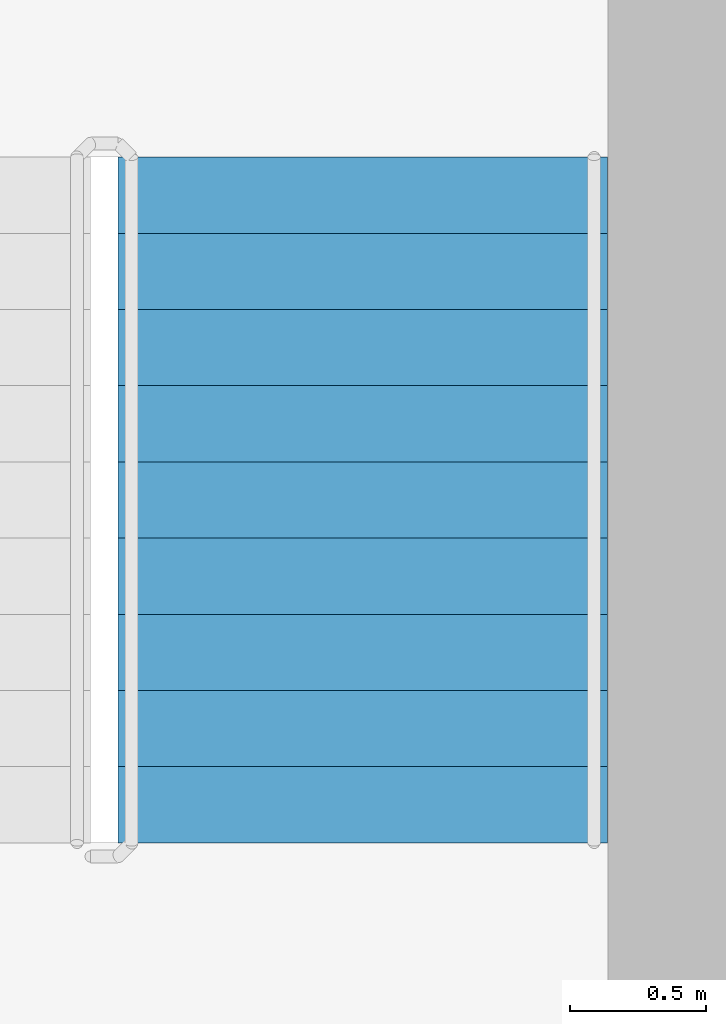
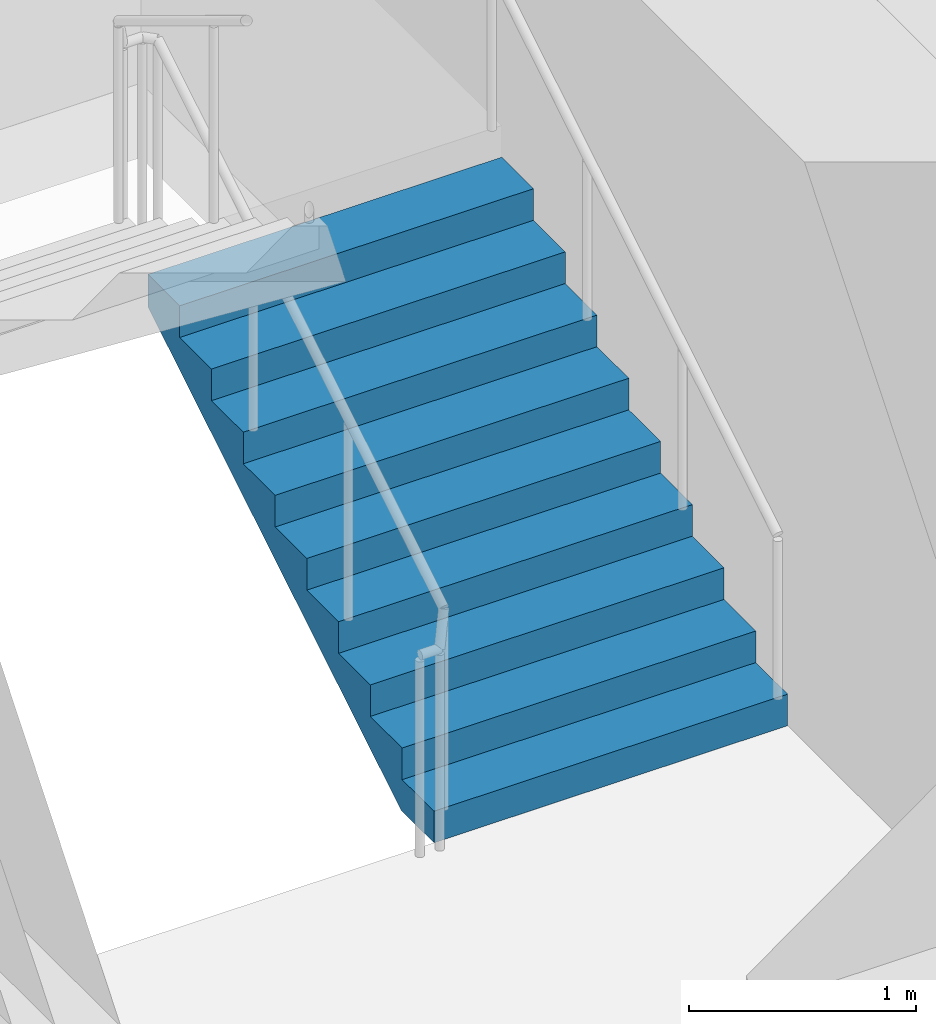
# One storey, part 13 of 16: 1 stair flight, 1 element without a shape of its own.
"""IFC4 building model written with IfcOpenShell, lengths in metres."""

from ifc_helpers import new_model, si_unit, direction, frame, origin, place, context, subcontext, project, spatial, triangles, source, transform, mapped, material, type_object, element, aggregate, save


model = new_model("IFC4")

# Units and contexts
model_context = context("Model", 3, precision=1e-05, world=origin(), true_north=direction((0.0, 1.0)))
body_context = subcontext(model_context, "Body", "Model", "MODEL_VIEW")
ifc_project = project(units=[si_unit("LENGTHUNIT", "METRE"), si_unit("AREAUNIT", "SQUARE_METRE"), si_unit("VOLUMEUNIT", "CUBIC_METRE"), si_unit("PLANEANGLEUNIT", "RADIAN"), si_unit("MASSUNIT", "GRAM", prefix="KILO")], contexts=[model_context])

# Site, building, storey
site_placement = place(None, origin())
site = spatial("IfcSite", under=ifc_project, at=site_placement, CompositionType="ELEMENT")
building_placement = place(site_placement, origin())
building = spatial("IfcBuilding", under=site, at=building_placement, Name="Kilnfold Tower and Market Hall", CompositionType="ELEMENT")
storey_placement = place(building_placement, frame((0.0, 0.0, 168.5)))
storey = spatial("IfcBuildingStorey", under=building, at=storey_placement, Name="L39", CompositionType="ELEMENT", Elevation=168.5)

# Stair, stair flight
ifc_material_1 = material(Name="Concrete C40/50", Category="concrete")
stair_type = type_object("IfcStairType", Name="CORE STAIR 1800", PredefinedType="HALF_TURN_STAIR", material=ifc_material_1)
stair_placement = place(storey_placement, origin())
stair = element("IfcStair", 1, at=stair_placement, inside=storey, type_object=stair_type, Name="L39 ST2", PredefinedType="HALF_TURN_STAIR")
ifc_material_2 = material(Name="Concrete C40/50", Category="concrete")
stair_flight_type = type_object("IfcStairFlightType", Name="CORE STAIR FLIGHT 1800", PredefinedType="STRAIGHT", material=ifc_material_2)
shared_shape = source(origin(), body_context, "Body", "Tessellation", [
    triangles([(0.0, 0.89990234375, 0.0), (0.0, 0.78759765625, 0.0), (0.0, 0.675048828125, 0.0), (0.0, 0.5625, 0.0), (0.0, 0.449951171875, 0.0), (0.0, 0.33740234375, 0.0), (0.0, 0.22509765625, 0.0), (0.0, 0.112548828125, 0.0), (0.0, 0.0, 0.0), (0.0, -0.112548828125, 0.0), (0.0, -0.22509765625, 0.0), (0.0, -0.33740234375, 0.0), (0.0, -0.449951171875, 0.0), (0.0, -0.5625, 0.0), (0.0, -0.675048828125, 0.0), (0.0, -0.78759765625, 0.0), (0.0, -0.89990234375, 0.0), (0.0, 0.89990234375, 0.169921875), (0.0, 0.78759765625, 0.169921875), (0.0, 0.675048828125, 0.169921875), (0.0, 0.5625, 0.169921875), (0.0, 0.449951171875, 0.169921875), (0.0, 0.33740234375, 0.169921875), (0.0, 0.22509765625, 0.169921875), (0.0, 0.112548828125, 0.169921875), (0.0, 0.0, 0.169921875), (0.0, -0.112548828125, 0.169921875), (0.0, -0.22509765625, 0.169921875), (0.0, -0.33740234375, 0.169921875), (0.0, -0.449951171875, 0.169921875), (0.0, -0.5625, 0.169921875), (0.0, -0.675048828125, 0.169921875), (0.0, -0.78759765625, 0.169921875), (0.0, -0.89990234375, 0.169921875), (0.280029296875, 0.89990234375, 0.169921875), (0.280029296875, 0.78759765625, 0.169921875), (0.280029296875, 0.675048828125, 0.169921875), (0.280029296875, 0.5625, 0.169921875), (0.280029296875, 0.449951171875, 0.169921875), (0.280029296875, 0.33740234375, 0.169921875), (0.280029296875, 0.22509765625, 0.169921875), (0.280029296875, 0.112548828125, 0.169921875), (0.280029296875, 0.0, 0.169921875), (0.280029296875, -0.112548828125, 0.169921875), (0.280029296875, -0.22509765625, 0.169921875), (0.280029296875, -0.33740234375, 0.169921875), (0.280029296875, -0.449951171875, 0.169921875), (0.280029296875, -0.5625, 0.169921875), (0.280029296875, -0.675048828125, 0.169921875), (0.280029296875, -0.78759765625, 0.169921875), (0.280029296875, -0.89990234375, 0.169921875), (0.280029296875, 0.89990234375, 0.340087890625), (0.280029296875, 0.78759765625, 0.340087890625), (0.280029296875, 0.675048828125, 0.340087890625), (0.280029296875, 0.5625, 0.340087890625), (0.280029296875, 0.449951171875, 0.340087890625), (0.280029296875, 0.33740234375, 0.340087890625), (0.280029296875, 0.22509765625, 0.340087890625), (0.280029296875, 0.112548828125, 0.340087890625), (0.280029296875, 0.0, 0.340087890625), (0.280029296875, -0.112548828125, 0.340087890625), (0.280029296875, -0.22509765625, 0.340087890625), (0.280029296875, -0.33740234375, 0.340087890625), (0.280029296875, -0.449951171875, 0.340087890625), (0.280029296875, -0.5625, 0.340087890625), (0.280029296875, -0.675048828125, 0.340087890625), (0.280029296875, -0.78759765625, 0.340087890625), (0.280029296875, -0.89990234375, 0.340087890625), (0.56005859375, 0.89990234375, 0.340087890625), (0.56005859375, 0.78759765625, 0.340087890625), (0.56005859375, 0.675048828125, 0.340087890625), (0.56005859375, 0.5625, 0.340087890625), (0.56005859375, 0.449951171875, 0.340087890625), (0.56005859375, 0.33740234375, 0.340087890625), (0.56005859375, 0.22509765625, 0.340087890625), (0.56005859375, 0.112548828125, 0.340087890625), (0.56005859375, 0.0, 0.340087890625), (0.56005859375, -0.112548828125, 0.340087890625), (0.56005859375, -0.22509765625, 0.340087890625), (0.56005859375, -0.33740234375, 0.340087890625), (0.56005859375, -0.449951171875, 0.340087890625), (0.56005859375, -0.5625, 0.340087890625), (0.56005859375, -0.675048828125, 0.340087890625), (0.56005859375, -0.78759765625, 0.340087890625), (0.56005859375, -0.89990234375, 0.340087890625), (0.56005859375, 0.89990234375, 0.510009765625), (0.56005859375, 0.78759765625, 0.510009765625), (0.56005859375, 0.675048828125, 0.510009765625), (0.56005859375, 0.5625, 0.510009765625), (0.56005859375, 0.449951171875, 0.510009765625), (0.56005859375, 0.33740234375, 0.510009765625), (0.56005859375, 0.22509765625, 0.510009765625), (0.56005859375, 0.112548828125, 0.510009765625), (0.56005859375, 0.0, 0.510009765625), (0.56005859375, -0.112548828125, 0.510009765625), (0.56005859375, -0.22509765625, 0.510009765625), (0.56005859375, -0.33740234375, 0.510009765625), (0.56005859375, -0.449951171875, 0.510009765625), (0.56005859375, -0.5625, 0.510009765625), (0.56005859375, -0.675048828125, 0.510009765625), (0.56005859375, -0.78759765625, 0.510009765625), (0.56005859375, -0.89990234375, 0.510009765625), (0.840087890625, 0.89990234375, 0.510009765625), (0.840087890625, 0.78759765625, 0.510009765625), (0.840087890625, 0.675048828125, 0.510009765625), (0.840087890625, 0.5625, 0.510009765625), (0.840087890625, 0.449951171875, 0.510009765625), (0.840087890625, 0.33740234375, 0.510009765625), (0.840087890625, 0.22509765625, 0.510009765625), (0.840087890625, 0.112548828125, 0.510009765625), (0.840087890625, 0.0, 0.510009765625), (0.840087890625, -0.112548828125, 0.510009765625), (0.840087890625, -0.22509765625, 0.510009765625), (0.840087890625, -0.33740234375, 0.510009765625), (0.840087890625, -0.449951171875, 0.510009765625), (0.840087890625, -0.5625, 0.510009765625), (0.840087890625, -0.675048828125, 0.510009765625), (0.840087890625, -0.78759765625, 0.510009765625), (0.840087890625, -0.89990234375, 0.510009765625), (0.840087890625, 0.89990234375, 0.679931640625), (0.840087890625, 0.78759765625, 0.679931640625), (0.840087890625, 0.675048828125, 0.679931640625), (0.840087890625, 0.5625, 0.679931640625), (0.840087890625, 0.449951171875, 0.679931640625), (0.840087890625, 0.33740234375, 0.679931640625), (0.840087890625, 0.22509765625, 0.679931640625), (0.840087890625, 0.112548828125, 0.679931640625), (0.840087890625, 0.0, 0.679931640625), (0.840087890625, -0.112548828125, 0.679931640625), (0.840087890625, -0.22509765625, 0.679931640625), (0.840087890625, -0.33740234375, 0.679931640625), (0.840087890625, -0.449951171875, 0.679931640625), (0.840087890625, -0.5625, 0.679931640625), (0.840087890625, -0.675048828125, 0.679931640625), (0.840087890625, -0.78759765625, 0.679931640625), (0.840087890625, -0.89990234375, 0.679931640625), (1.1201171875, 0.89990234375, 0.679931640625), (1.1201171875, 0.78759765625, 0.679931640625), (1.1201171875, 0.675048828125, 0.679931640625), (1.1201171875, 0.5625, 0.679931640625), (1.1201171875, 0.449951171875, 0.679931640625), (1.1201171875, 0.33740234375, 0.679931640625), (1.1201171875, 0.22509765625, 0.679931640625), (1.1201171875, 0.112548828125, 0.679931640625), (1.1201171875, 0.0, 0.679931640625), (1.1201171875, -0.112548828125, 0.679931640625), (1.1201171875, -0.22509765625, 0.679931640625), (1.1201171875, -0.33740234375, 0.679931640625), (1.1201171875, -0.449951171875, 0.679931640625), (1.1201171875, -0.5625, 0.679931640625), (1.1201171875, -0.675048828125, 0.679931640625), (1.1201171875, -0.78759765625, 0.679931640625), (1.1201171875, -0.89990234375, 0.679931640625), (1.1201171875, 0.89990234375, 0.85009765625), (1.1201171875, 0.78759765625, 0.85009765625), (1.1201171875, 0.675048828125, 0.85009765625), (1.1201171875, 0.5625, 0.85009765625), (1.1201171875, 0.449951171875, 0.85009765625), (1.1201171875, 0.33740234375, 0.85009765625), (1.1201171875, 0.22509765625, 0.85009765625), (1.1201171875, 0.112548828125, 0.85009765625), (1.1201171875, 0.0, 0.85009765625), (1.1201171875, -0.112548828125, 0.85009765625), (1.1201171875, -0.22509765625, 0.85009765625), (1.1201171875, -0.33740234375, 0.85009765625), (1.1201171875, -0.449951171875, 0.85009765625), (1.1201171875, -0.5625, 0.85009765625), (1.1201171875, -0.675048828125, 0.85009765625), (1.1201171875, -0.78759765625, 0.85009765625), (1.1201171875, -0.89990234375, 0.85009765625), (1.39990234375, 0.89990234375, 0.85009765625), (1.39990234375, 0.78759765625, 0.85009765625), (1.39990234375, 0.675048828125, 0.85009765625), (1.39990234375, 0.5625, 0.85009765625), (1.39990234375, 0.449951171875, 0.85009765625), (1.39990234375, 0.33740234375, 0.85009765625), (1.39990234375, 0.22509765625, 0.85009765625), (1.39990234375, 0.112548828125, 0.85009765625), (1.39990234375, 0.0, 0.85009765625), (1.39990234375, -0.112548828125, 0.85009765625), (1.39990234375, -0.22509765625, 0.85009765625), (1.39990234375, -0.33740234375, 0.85009765625), (1.39990234375, -0.449951171875, 0.85009765625), (1.39990234375, -0.5625, 0.85009765625), (1.39990234375, -0.675048828125, 0.85009765625), (1.39990234375, -0.78759765625, 0.85009765625), (1.39990234375, -0.89990234375, 0.85009765625), (1.39990234375, 0.89990234375, 1.02001953125), (1.39990234375, 0.78759765625, 1.02001953125), (1.39990234375, 0.675048828125, 1.02001953125), (1.39990234375, 0.5625, 1.02001953125), (1.39990234375, 0.449951171875, 1.02001953125), (1.39990234375, 0.33740234375, 1.02001953125), (1.39990234375, 0.22509765625, 1.02001953125), (1.39990234375, 0.112548828125, 1.02001953125), (1.39990234375, 0.0, 1.02001953125), (1.39990234375, -0.112548828125, 1.02001953125), (1.39990234375, -0.22509765625, 1.02001953125), (1.39990234375, -0.33740234375, 1.02001953125), (1.39990234375, -0.449951171875, 1.02001953125), (1.39990234375, -0.5625, 1.02001953125), (1.39990234375, -0.675048828125, 1.02001953125), (1.39990234375, -0.78759765625, 1.02001953125), (1.39990234375, -0.89990234375, 1.02001953125), (1.679931640625, 0.89990234375, 1.02001953125), (1.679931640625, 0.78759765625, 1.02001953125), (1.679931640625, 0.675048828125, 1.02001953125), (1.679931640625, 0.5625, 1.02001953125), (1.679931640625, 0.449951171875, 1.02001953125), (1.679931640625, 0.33740234375, 1.02001953125), (1.679931640625, 0.22509765625, 1.02001953125), (1.679931640625, 0.112548828125, 1.02001953125), (1.679931640625, 0.0, 1.02001953125), (1.679931640625, -0.112548828125, 1.02001953125), (1.679931640625, -0.22509765625, 1.02001953125), (1.679931640625, -0.33740234375, 1.02001953125), (1.679931640625, -0.449951171875, 1.02001953125), (1.679931640625, -0.5625, 1.02001953125), (1.679931640625, -0.675048828125, 1.02001953125), (1.679931640625, -0.78759765625, 1.02001953125), (1.679931640625, -0.89990234375, 1.02001953125), (1.679931640625, 0.89990234375, 1.18994140625), (1.679931640625, 0.78759765625, 1.18994140625), (1.679931640625, 0.675048828125, 1.18994140625), (1.679931640625, 0.5625, 1.18994140625), (1.679931640625, 0.449951171875, 1.18994140625), (1.679931640625, 0.33740234375, 1.18994140625), (1.679931640625, 0.22509765625, 1.18994140625), (1.679931640625, 0.112548828125, 1.18994140625), (1.679931640625, 0.0, 1.18994140625), (1.679931640625, -0.112548828125, 1.18994140625), (1.679931640625, -0.22509765625, 1.18994140625), (1.679931640625, -0.33740234375, 1.18994140625), (1.679931640625, -0.449951171875, 1.18994140625), (1.679931640625, -0.5625, 1.18994140625), (1.679931640625, -0.675048828125, 1.18994140625), (1.679931640625, -0.78759765625, 1.18994140625), (1.679931640625, -0.89990234375, 1.18994140625), (1.9599609375, 0.89990234375, 1.18994140625), (1.9599609375, 0.78759765625, 1.18994140625), (1.9599609375, 0.675048828125, 1.18994140625), (1.9599609375, 0.5625, 1.18994140625), (1.9599609375, 0.449951171875, 1.18994140625), (1.9599609375, 0.33740234375, 1.18994140625), (1.9599609375, 0.22509765625, 1.18994140625), (1.9599609375, 0.112548828125, 1.18994140625), (1.9599609375, 0.0, 1.18994140625), (1.9599609375, -0.112548828125, 1.18994140625), (1.9599609375, -0.22509765625, 1.18994140625), (1.9599609375, -0.33740234375, 1.18994140625), (1.9599609375, -0.449951171875, 1.18994140625), (1.9599609375, -0.5625, 1.18994140625), (1.9599609375, -0.675048828125, 1.18994140625), (1.9599609375, -0.78759765625, 1.18994140625), (1.9599609375, -0.89990234375, 1.18994140625), (1.9599609375, 0.89990234375, 1.360107421875), (1.9599609375, 0.78759765625, 1.360107421875), (1.9599609375, 0.675048828125, 1.360107421875), (1.9599609375, 0.5625, 1.360107421875), (1.9599609375, 0.449951171875, 1.360107421875), (1.9599609375, 0.33740234375, 1.360107421875), (1.9599609375, 0.22509765625, 1.360107421875), (1.9599609375, 0.112548828125, 1.360107421875), (1.9599609375, 0.0, 1.360107421875), (1.9599609375, -0.112548828125, 1.360107421875), (1.9599609375, -0.22509765625, 1.360107421875), (1.9599609375, -0.33740234375, 1.360107421875), (1.9599609375, -0.449951171875, 1.360107421875), (1.9599609375, -0.5625, 1.360107421875), (1.9599609375, -0.675048828125, 1.360107421875), (1.9599609375, -0.78759765625, 1.360107421875), (1.9599609375, -0.89990234375, 1.360107421875), (2.239990234375, 0.89990234375, 1.360107421875), (2.239990234375, 0.78759765625, 1.360107421875), (2.239990234375, 0.675048828125, 1.360107421875), (2.239990234375, 0.5625, 1.360107421875), (2.239990234375, 0.449951171875, 1.360107421875), (2.239990234375, 0.33740234375, 1.360107421875), (2.239990234375, 0.22509765625, 1.360107421875), (2.239990234375, 0.112548828125, 1.360107421875), (2.239990234375, 0.0, 1.360107421875), (2.239990234375, -0.112548828125, 1.360107421875), (2.239990234375, -0.22509765625, 1.360107421875), (2.239990234375, -0.33740234375, 1.360107421875), (2.239990234375, -0.449951171875, 1.360107421875), (2.239990234375, -0.5625, 1.360107421875), (2.239990234375, -0.675048828125, 1.360107421875), (2.239990234375, -0.78759765625, 1.360107421875), (2.239990234375, -0.89990234375, 1.360107421875), (2.239990234375, 0.89990234375, 1.530029296875), (2.239990234375, 0.78759765625, 1.530029296875), (2.239990234375, 0.675048828125, 1.530029296875), (2.239990234375, 0.5625, 1.530029296875), (2.239990234375, 0.449951171875, 1.530029296875), (2.239990234375, 0.33740234375, 1.530029296875), (2.239990234375, 0.22509765625, 1.530029296875), (2.239990234375, 0.112548828125, 1.530029296875), (2.239990234375, 0.0, 1.530029296875), (2.239990234375, -0.112548828125, 1.530029296875), (2.239990234375, -0.22509765625, 1.530029296875), (2.239990234375, -0.33740234375, 1.530029296875), (2.239990234375, -0.449951171875, 1.530029296875), (2.239990234375, -0.5625, 1.530029296875), (2.239990234375, -0.675048828125, 1.530029296875), (2.239990234375, -0.78759765625, 1.530029296875), (2.239990234375, -0.89990234375, 1.530029296875), (2.52001953125, 0.89990234375, 1.530029296875), (2.52001953125, 0.78759765625, 1.530029296875), (2.52001953125, 0.675048828125, 1.530029296875), (2.52001953125, 0.5625, 1.530029296875), (2.52001953125, 0.449951171875, 1.530029296875), (2.52001953125, 0.33740234375, 1.530029296875), (2.52001953125, 0.22509765625, 1.530029296875), (2.52001953125, 0.112548828125, 1.530029296875), (2.52001953125, 0.0, 1.530029296875), (2.52001953125, -0.112548828125, 1.530029296875), (2.52001953125, -0.22509765625, 1.530029296875), (2.52001953125, -0.33740234375, 1.530029296875), (2.52001953125, -0.449951171875, 1.530029296875), (2.52001953125, -0.5625, 1.530029296875), (2.52001953125, -0.675048828125, 1.530029296875), (2.52001953125, -0.78759765625, 1.530029296875), (2.52001953125, -0.89990234375, 1.530029296875), (2.52001953125, 0.89990234375, 1.354736328125), (2.52001953125, 0.78759765625, 1.354736328125), (2.52001953125, 0.675048828125, 1.354736328125), (2.52001953125, 0.5625, 1.354736328125), (2.52001953125, 0.449951171875, 1.354736328125), (2.52001953125, 0.33740234375, 1.354736328125), (2.52001953125, 0.22509765625, 1.354736328125), (2.52001953125, 0.112548828125, 1.354736328125), (2.52001953125, 0.0, 1.354736328125), (2.52001953125, -0.112548828125, 1.354736328125), (2.52001953125, -0.22509765625, 1.354736328125), (2.52001953125, -0.33740234375, 1.354736328125), (2.52001953125, -0.449951171875, 1.354736328125), (2.52001953125, -0.5625, 1.354736328125), (2.52001953125, -0.675048828125, 1.354736328125), (2.52001953125, -0.78759765625, 1.354736328125), (2.52001953125, -0.89990234375, 1.354736328125), (0.288818359375, 0.89990234375, 0.0), (0.288818359375, 0.78759765625, 0.0), (0.288818359375, 0.675048828125, 0.0), (0.288818359375, 0.5625, 0.0), (0.288818359375, 0.449951171875, 0.0), (0.288818359375, 0.33740234375, 0.0), (0.288818359375, 0.22509765625, 0.0), (0.288818359375, 0.112548828125, 0.0), (0.288818359375, 0.0, 0.0), (0.288818359375, -0.112548828125, 0.0), (0.288818359375, -0.22509765625, 0.0), (0.288818359375, -0.33740234375, 0.0), (0.288818359375, -0.449951171875, 0.0), (0.288818359375, -0.5625, 0.0), (0.288818359375, -0.675048828125, 0.0), (0.288818359375, -0.78759765625, 0.0), (0.288818359375, -0.89990234375, 0.0)], [[1, 324, 341], [17, 357, 340], [324, 290, 307], [340, 323, 306], [324, 273, 290], [340, 306, 289], [324, 256, 273], [340, 289, 272], [324, 239, 256], [340, 272, 255], [239, 205, 222], [255, 238, 221], [324, 205, 239], [340, 255, 221], [205, 171, 188], [221, 204, 187], [324, 171, 205], [340, 221, 187], [171, 137, 154], [187, 170, 153], [324, 137, 171], [340, 187, 153], [137, 103, 120], [153, 136, 119], [324, 103, 137], [340, 153, 119], [103, 69, 86], [119, 102, 85], [324, 69, 103], [340, 119, 85], [69, 35, 52], [85, 68, 51], [324, 35, 69], [340, 85, 51], [1, 35, 324], [17, 340, 51], [35, 1, 18], [51, 34, 17], [1, 19, 18], [1, 2, 19], [2, 20, 19], [2, 3, 20], [3, 21, 20], [3, 4, 21], [4, 22, 21], [4, 5, 22], [5, 23, 22], [5, 6, 23], [6, 24, 23], [6, 7, 24], [7, 25, 24], [7, 8, 25], [8, 26, 25], [8, 9, 26], [9, 27, 26], [9, 10, 27], [10, 28, 27], [10, 11, 28], [11, 29, 28], [11, 12, 29], [12, 30, 29], [12, 13, 30], [13, 31, 30], [13, 14, 31], [14, 32, 31], [14, 15, 32], [15, 33, 32], [15, 16, 33], [16, 34, 33], [16, 17, 34], [18, 36, 35], [18, 19, 36], [19, 37, 36], [19, 20, 37], [20, 38, 37], [20, 21, 38], [21, 39, 38], [21, 22, 39], [22, 40, 39], [22, 23, 40], [23, 41, 40], [23, 24, 41], [24, 42, 41], [24, 25, 42], [25, 43, 42], [25, 26, 43], [26, 44, 43], [26, 27, 44], [27, 45, 44], [27, 28, 45], [28, 46, 45], [28, 29, 46], [29, 47, 46], [29, 30, 47], [30, 48, 47], [30, 31, 48], [31, 49, 48], [31, 32, 49], [32, 50, 49], [32, 33, 50], [33, 51, 50], [33, 34, 51], [35, 53, 52], [35, 36, 53], [36, 54, 53], [36, 37, 54], [37, 55, 54], [37, 38, 55], [38, 56, 55], [38, 39, 56], [39, 57, 56], [39, 40, 57], [40, 58, 57], [40, 41, 58], [41, 59, 58], [41, 42, 59], [42, 60, 59], [42, 43, 60], [43, 61, 60], [43, 44, 61], [44, 62, 61], [44, 45, 62], [45, 63, 62], [45, 46, 63], [46, 64, 63], [46, 47, 64], [47, 65, 64], [47, 48, 65], [48, 66, 65], [48, 49, 66], [49, 67, 66], [49, 50, 67], [50, 68, 67], [50, 51, 68], [52, 70, 69], [52, 53, 70], [53, 71, 70], [53, 54, 71], [54, 72, 71], [54, 55, 72], [55, 73, 72], [55, 56, 73], [56, 74, 73], [56, 57, 74], [57, 75, 74], [57, 58, 75], [58, 76, 75], [58, 59, 76], [59, 77, 76], [59, 60, 77], [60, 78, 77], [60, 61, 78], [61, 79, 78], [61, 62, 79], [62, 80, 79], [62, 63, 80], [63, 81, 80], [63, 64, 81], [64, 82, 81], [64, 65, 82], [65, 83, 82], [65, 66, 83], [66, 84, 83], [66, 67, 84], [67, 85, 84], [67, 68, 85], [69, 87, 86], [69, 70, 87], [70, 88, 87], [70, 71, 88], [71, 89, 88], [71, 72, 89], [72, 90, 89], [72, 73, 90], [73, 91, 90], [73, 74, 91], [74, 92, 91], [74, 75, 92], [75, 93, 92], [75, 76, 93], [76, 94, 93], [76, 77, 94], [77, 95, 94], [77, 78, 95], [78, 96, 95], [78, 79, 96], [79, 97, 96], [79, 80, 97], [80, 98, 97], [80, 81, 98], [81, 99, 98], [81, 82, 99], [82, 100, 99], [82, 83, 100], [83, 101, 100], [83, 84, 101], [84, 102, 101], [84, 85, 102], [86, 104, 103], [86, 87, 104], [87, 105, 104], [87, 88, 105], [88, 106, 105], [88, 89, 106], [89, 107, 106], [89, 90, 107], [90, 108, 107], [90, 91, 108], [91, 109, 108], [91, 92, 109], [92, 110, 109], [92, 93, 110], [93, 111, 110], [93, 94, 111], [94, 112, 111], [94, 95, 112], [95, 113, 112], [95, 96, 113], [96, 114, 113], [96, 97, 114], [97, 115, 114], [97, 98, 115], [98, 116, 115], [98, 99, 116], [99, 117, 116], [99, 100, 117], [100, 118, 117], [100, 101, 118], [101, 119, 118], [101, 102, 119], [103, 121, 120], [103, 104, 121], [104, 122, 121], [104, 105, 122], [105, 123, 122], [105, 106, 123], [106, 124, 123], [106, 107, 124], [107, 125, 124], [107, 108, 125], [108, 126, 125], [108, 109, 126], [109, 127, 126], [109, 110, 127], [110, 128, 127], [110, 111, 128], [111, 129, 128], [111, 112, 129], [112, 130, 129], [112, 113, 130], [113, 131, 130], [113, 114, 131], [114, 132, 131], [114, 115, 132], [115, 133, 132], [115, 116, 133], [116, 134, 133], [116, 117, 134], [117, 135, 134], [117, 118, 135], [118, 136, 135], [118, 119, 136], [120, 138, 137], [120, 121, 138], [121, 139, 138], [121, 122, 139], [122, 140, 139], [122, 123, 140], [123, 141, 140], [123, 124, 141], [124, 142, 141], [124, 125, 142], [125, 143, 142], [125, 126, 143], [126, 144, 143], [126, 127, 144], [127, 145, 144], [127, 128, 145], [128, 146, 145], [128, 129, 146], [129, 147, 146], [129, 130, 147], [130, 148, 147], [130, 131, 148], [131, 149, 148], [131, 132, 149], [132, 150, 149], [132, 133, 150], [133, 151, 150], [133, 134, 151], [134, 152, 151], [134, 135, 152], [135, 153, 152], [135, 136, 153], [137, 155, 154], [137, 138, 155], [138, 156, 155], [138, 139, 156], [139, 157, 156], [139, 140, 157], [140, 158, 157], [140, 141, 158], [141, 159, 158], [141, 142, 159], [142, 160, 159], [142, 143, 160], [143, 161, 160], [143, 144, 161], [144, 162, 161], [144, 145, 162], [145, 163, 162], [145, 146, 163], [146, 164, 163], [146, 147, 164], [147, 165, 164], [147, 148, 165], [148, 166, 165], [148, 149, 166], [149, 167, 166], [149, 150, 167], [150, 168, 167], [150, 151, 168], [151, 169, 168], [151, 152, 169], [152, 170, 169], [152, 153, 170], [154, 172, 171], [154, 155, 172], [155, 173, 172], [155, 156, 173], [156, 174, 173], [156, 157, 174], [157, 175, 174], [157, 158, 175], [158, 176, 175], [158, 159, 176], [159, 177, 176], [159, 160, 177], [160, 178, 177], [160, 161, 178], [161, 179, 178], [161, 162, 179], [162, 180, 179], [162, 163, 180], [163, 181, 180], [163, 164, 181], [164, 182, 181], [164, 165, 182], [165, 183, 182], [165, 166, 183], [166, 184, 183], [166, 167, 184], [167, 185, 184], [167, 168, 185], [168, 186, 185], [168, 169, 186], [169, 187, 186], [169, 170, 187], [171, 189, 188], [171, 172, 189], [172, 190, 189], [172, 173, 190], [173, 191, 190], [173, 174, 191], [174, 192, 191], [174, 175, 192], [175, 193, 192], [175, 176, 193], [176, 194, 193], [176, 177, 194], [177, 195, 194], [177, 178, 195], [178, 196, 195], [178, 179, 196], [179, 197, 196], [179, 180, 197], [180, 198, 197], [180, 181, 198], [181, 199, 198], [181, 182, 199], [182, 200, 199], [182, 183, 200], [183, 201, 200], [183, 184, 201], [184, 202, 201], [184, 185, 202], [185, 203, 202], [185, 186, 203], [186, 204, 203], [186, 187, 204], [188, 206, 205], [188, 189, 206], [189, 207, 206], [189, 190, 207], [190, 208, 207], [190, 191, 208], [191, 209, 208], [191, 192, 209], [192, 210, 209], [192, 193, 210], [193, 211, 210], [193, 194, 211], [194, 212, 211], [194, 195, 212], [195, 213, 212], [195, 196, 213], [196, 214, 213], [196, 197, 214], [197, 215, 214], [197, 198, 215], [198, 216, 215], [198, 199, 216], [199, 217, 216], [199, 200, 217], [200, 218, 217], [200, 201, 218], [201, 219, 218], [201, 202, 219], [202, 220, 219], [202, 203, 220], [203, 221, 220], [203, 204, 221], [205, 223, 222], [205, 206, 223], [206, 224, 223], [206, 207, 224], [207, 225, 224], [207, 208, 225], [208, 226, 225], [208, 209, 226], [209, 227, 226], [209, 210, 227], [210, 228, 227], [210, 211, 228], [211, 229, 228], [211, 212, 229], [212, 230, 229], [212, 213, 230], [213, 231, 230], [213, 214, 231], [214, 232, 231], [214, 215, 232], [215, 233, 232], [215, 216, 233], [216, 234, 233], [216, 217, 234], [217, 235, 234], [217, 218, 235], [218, 236, 235], [218, 219, 236], [219, 237, 236], [219, 220, 237], [220, 238, 237], [220, 221, 238], [222, 240, 239], [222, 223, 240], [223, 241, 240], [223, 224, 241], [224, 242, 241], [224, 225, 242], [225, 243, 242], [225, 226, 243], [226, 244, 243], [226, 227, 244], [227, 245, 244], [227, 228, 245], [228, 246, 245], [228, 229, 246], [229, 247, 246], [229, 230, 247], [230, 248, 247], [230, 231, 248], [231, 249, 248], [231, 232, 249], [232, 250, 249], [232, 233, 250], [233, 251, 250], [233, 234, 251], [234, 252, 251], [234, 235, 252], [235, 253, 252], [235, 236, 253], [236, 254, 253], [236, 237, 254], [237, 255, 254], [237, 238, 255], [239, 257, 256], [239, 240, 257], [240, 258, 257], [240, 241, 258], [241, 259, 258], [241, 242, 259], [242, 260, 259], [242, 243, 260], [243, 261, 260], [243, 244, 261], [244, 262, 261], [244, 245, 262], [245, 263, 262], [245, 246, 263], [246, 264, 263], [246, 247, 264], [247, 265, 264], [247, 248, 265], [248, 266, 265], [248, 249, 266], [249, 267, 266], [249, 250, 267], [250, 268, 267], [250, 251, 268], [251, 269, 268], [251, 252, 269], [252, 270, 269], [252, 253, 270], [253, 271, 270], [253, 254, 271], [254, 272, 271], [254, 255, 272], [256, 274, 273], [256, 257, 274], [257, 275, 274], [257, 258, 275], [258, 276, 275], [258, 259, 276], [259, 277, 276], [259, 260, 277], [260, 278, 277], [260, 261, 278], [261, 279, 278], [261, 262, 279], [262, 280, 279], [262, 263, 280], [263, 281, 280], [263, 264, 281], [264, 282, 281], [264, 265, 282], [265, 283, 282], [265, 266, 283], [266, 284, 283], [266, 267, 284], [267, 285, 284], [267, 268, 285], [268, 286, 285], [268, 269, 286], [269, 287, 286], [269, 270, 287], [270, 288, 287], [270, 271, 288], [271, 289, 288], [271, 272, 289], [273, 291, 290], [273, 274, 291], [274, 292, 291], [274, 275, 292], [275, 293, 292], [275, 276, 293], [276, 294, 293], [276, 277, 294], [277, 295, 294], [277, 278, 295], [278, 296, 295], [278, 279, 296], [279, 297, 296], [279, 280, 297], [280, 298, 297], [280, 281, 298], [281, 299, 298], [281, 282, 299], [282, 300, 299], [282, 283, 300], [283, 301, 300], [283, 284, 301], [284, 302, 301], [284, 285, 302], [285, 303, 302], [285, 286, 303], [286, 304, 303], [286, 287, 304], [287, 305, 304], [287, 288, 305], [288, 306, 305], [288, 289, 306], [290, 308, 307], [290, 291, 308], [291, 309, 308], [291, 292, 309], [292, 310, 309], [292, 293, 310], [293, 311, 310], [293, 294, 311], [294, 312, 311], [294, 295, 312], [295, 313, 312], [295, 296, 313], [296, 314, 313], [296, 297, 314], [297, 315, 314], [297, 298, 315], [298, 316, 315], [298, 299, 316], [299, 317, 316], [299, 300, 317], [300, 318, 317], [300, 301, 318], [301, 319, 318], [301, 302, 319], [302, 320, 319], [302, 303, 320], [303, 321, 320], [303, 304, 321], [304, 322, 321], [304, 305, 322], [305, 323, 322], [305, 306, 323], [307, 325, 324], [307, 308, 325], [308, 326, 325], [308, 309, 326], [309, 327, 326], [309, 310, 327], [310, 328, 327], [310, 311, 328], [311, 329, 328], [311, 312, 329], [312, 330, 329], [312, 313, 330], [313, 331, 330], [313, 314, 331], [314, 332, 331], [314, 315, 332], [315, 333, 332], [315, 316, 333], [316, 334, 333], [316, 317, 334], [317, 335, 334], [317, 318, 335], [318, 336, 335], [318, 319, 336], [319, 337, 336], [319, 320, 337], [320, 338, 337], [320, 321, 338], [321, 339, 338], [321, 322, 339], [322, 340, 339], [322, 323, 340], [324, 342, 341], [324, 325, 342], [325, 343, 342], [325, 326, 343], [326, 344, 343], [326, 327, 344], [327, 345, 344], [327, 328, 345], [328, 346, 345], [328, 329, 346], [329, 347, 346], [329, 330, 347], [330, 348, 347], [330, 331, 348], [331, 349, 348], [331, 332, 349], [332, 350, 349], [332, 333, 350], [333, 351, 350], [333, 334, 351], [334, 352, 351], [334, 335, 352], [335, 353, 352], [335, 336, 353], [336, 354, 353], [336, 337, 354], [337, 355, 354], [337, 338, 355], [338, 356, 355], [338, 339, 356], [339, 357, 356], [339, 340, 357], [341, 2, 1], [341, 342, 2], [342, 3, 2], [342, 343, 3], [343, 4, 3], [343, 344, 4], [344, 5, 4], [344, 345, 5], [345, 6, 5], [345, 346, 6], [346, 7, 6], [346, 347, 7], [347, 8, 7], [347, 348, 8], [348, 9, 8], [348, 349, 9], [349, 10, 9], [349, 350, 10], [350, 11, 10], [350, 351, 11], [351, 12, 11], [351, 352, 12], [352, 13, 12], [352, 353, 13], [353, 14, 13], [353, 354, 14], [354, 15, 14], [354, 355, 15], [355, 16, 15], [355, 356, 16], [356, 17, 16], [356, 357, 17]], closed=True),
])
stair_flight_placement = place(storey_placement, frame((16.199951171875, 10.800048828125, 0.0), z_axis=(0.0, 0.0, 1.0), x_axis=(0.0, 1.0, 0.0)))
stair_flight = element("IfcStairFlight", 2, at=stair_flight_placement, type_object=stair_flight_type, Name="ST2 flight 1", NumberOfRisers=10, NumberOfTreads=9, PredefinedType="STRAIGHT", RiserHeight=0.17, TreadLength=0.28, context=body_context, shape_type="MappedRepresentation", body=[
    mapped(shared_shape, transform((0.0, 0.0, 0.0))),
])
aggregate(stair, [stair_flight])

save(model, "model.ifc")
